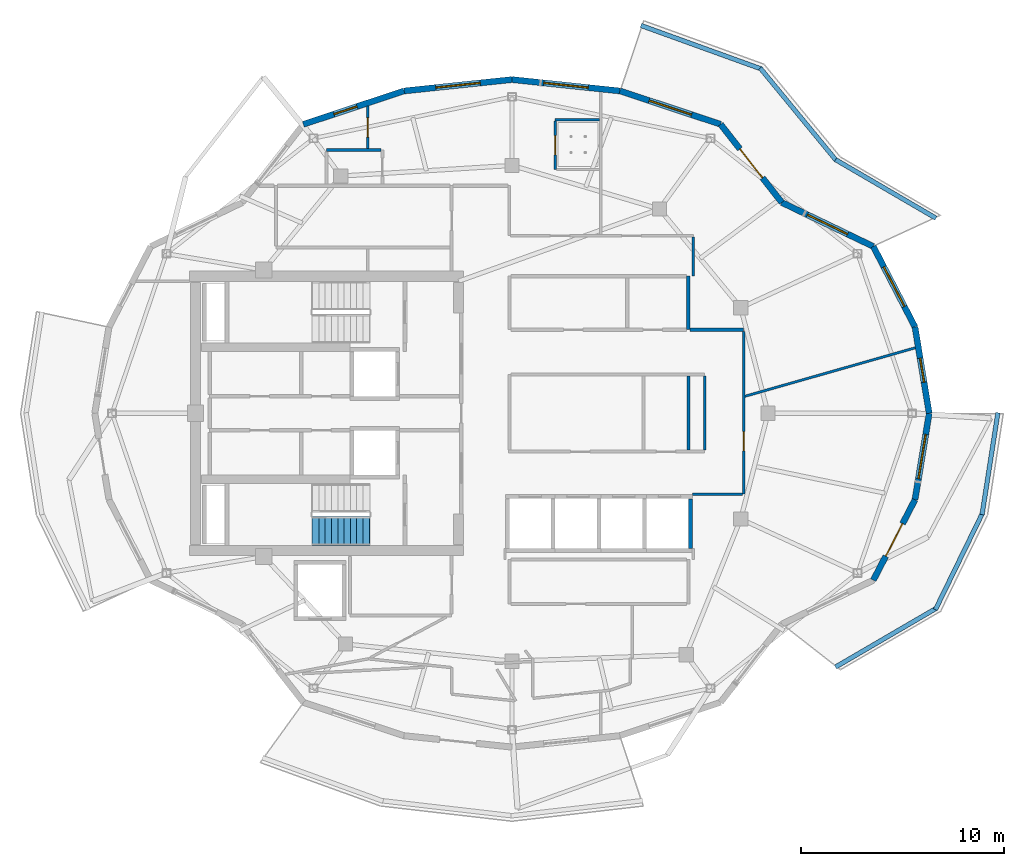
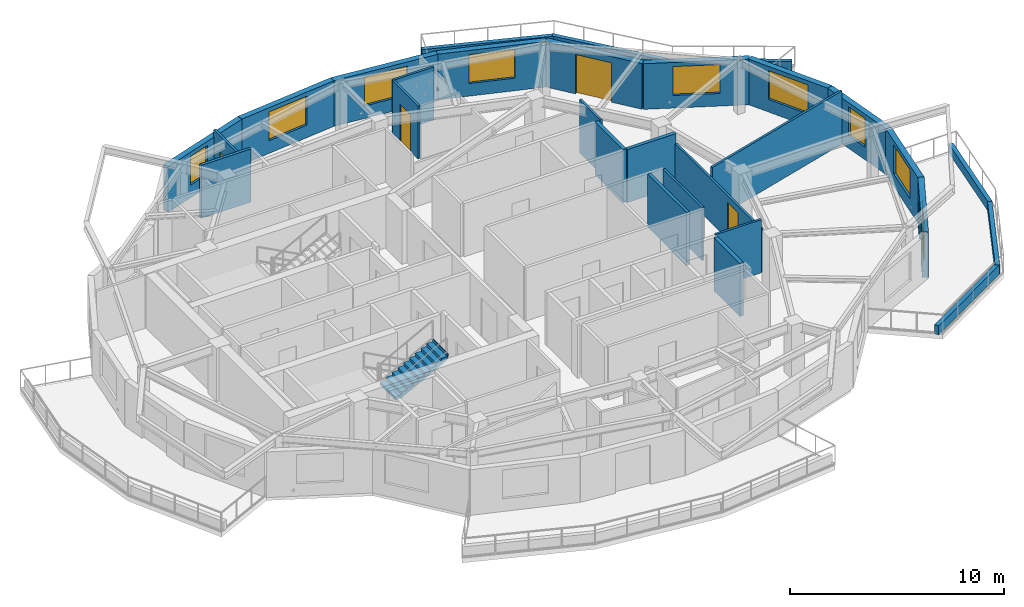
# One storey, part 6 of 11: 29 walls, 8 windows, 5 doors, 1 stair flight, 13 openings, 1 element without a shape of its own.
"""IFC4 building model written with IfcOpenShell, lengths in metres."""

from ifc_helpers import new_model, si_unit, direction, frame, frame_2d, origin, place, context, subcontext, project, spatial, polyline, rectangle, outline, extrude, material, layer, layer_set, type_object, element, fill, aggregate, save


model = new_model("IFC4")

# Units and contexts
model_context = context("Model", 3, precision=1e-05, world=origin(), true_north=direction((0.0, 1.0)))
body_context = subcontext(model_context, "Body", "Model", "MODEL_VIEW")
ifc_project = project(units=[si_unit("LENGTHUNIT", "METRE"), si_unit("AREAUNIT", "SQUARE_METRE"), si_unit("VOLUMEUNIT", "CUBIC_METRE"), si_unit("PLANEANGLEUNIT", "RADIAN"), si_unit("MASSUNIT", "GRAM", prefix="KILO")], contexts=[model_context])

# Site, building, storey
site_placement = place(None, origin())
site = spatial("IfcSite", under=ifc_project, at=site_placement, CompositionType="ELEMENT")
building_placement = place(site_placement, origin())
building = spatial("IfcBuilding", under=site, at=building_placement, Name="Kolvaren Gate Tower and Convention Centre", CompositionType="ELEMENT")
storey_placement = place(building_placement, frame((0.0, 0.0, 269.0)))
storey = spatial("IfcBuildingStorey", under=building, at=storey_placement, Name="L73", CompositionType="ELEMENT", Elevation=269.0)

# Walls
ifc_material_1 = material(Name="Autoclaved Aerated Masonry Blockwork Class 4 (4.0 MPa)", Category="masonry")
ifc_layer_1 = layer(ifc_material_1, 0.179931640625)
ifc_layer_set_1 = layer_set([ifc_layer_1], Name="Autoclaved Aerated Masonry Blockwork Class 4 (4.0 MPa)")
wall_type_1 = type_object("IfcWallType", Name="ARCH-WL-COMP-180", PredefinedType="SOLIDWALL", material=ifc_layer_set_1)
wall_1_placement = place(storey_placement, frame((38.800048828125, 31.1201171875, 0.0), z_axis=(0.0, 0.0, 1.0), x_axis=(0.0, 1.0, 0.0)))
element("IfcWall", 1, at=wall_1_placement, inside=storey, type_object=wall_type_1, Name="Interior Partition WL-L73-INT-023", PredefinedType="SOLIDWALL", context=body_context, shape_type="SweptSolid", body=[
    extrude(rectangle(XDim=2.6298828125, YDim=0.179931640625, at=frame_2d((1.31494140625, 0.0))), origin(), (0.0, 0.0, 1.0), 3.030029296875),
])
wall_2_placement = place(storey_placement, frame((38.89208984375, 31.1201171875, 0.0), z_axis=(0.0, 0.0, 1.0), x_axis=(1.0, 0.0, 0.0)))
element("IfcWall", 2, at=wall_2_placement, inside=storey, type_object=wall_type_1, Name="Interior Partition WL-L73-INT-024 (2)", PredefinedType="SOLIDWALL", context=body_context, shape_type="SweptSolid", body=[
    extrude(rectangle(XDim=2.6279296875, YDim=0.179931640625, at=frame_2d((1.31396484375, 0.0))), origin(), (0.0, 0.0, 1.0), 3.030029296875),
])
ifc_material_2 = material(Name="Fire-Rated Acoustic Gypsum Stud Partition", Category="gypsum")
ifc_layer_2 = layer(ifc_material_2, 0.1201171875)
ifc_layer_set_2 = layer_set([ifc_layer_2], Name="Fire-Rated Acoustic Gypsum Stud Partition")
wall_type_2 = type_object("IfcWallType", Name="ARCH-WL-PART-120", PredefinedType="PARTITIONING", material=ifc_layer_set_2)
wall_3_placement = place(storey_placement, frame((39.050048828125, 33.75, 0.0), z_axis=(0.0, 0.0, 1.0), x_axis=(0.0, 1.0, 0.0)))
element("IfcWall", 3, at=wall_3_placement, inside=storey, type_object=wall_type_2, Name="Interior Partition WL-L73-INT-034", PredefinedType="PARTITIONING", context=body_context, shape_type="SweptSolid", body=[
    extrude(rectangle(XDim=1.93798828125, YDim=0.1201171875, at=frame_2d((0.968994140625, 0.0))), origin(), (0.0, 0.0, 1.0), 3.030029296875),
])

# Wall, opening, door
wall_4_placement = place(storey_placement, frame((41.52001953125, 23.02001953125, 0.0), z_axis=(0.0, 0.0, 1.0), x_axis=(0.0, 1.0, 0.0)))
wall_4 = element("IfcWall", 4, at=wall_4_placement, inside=storey, type_object=wall_type_2, Name="Interior Partition WL-L73-INT-035", PredefinedType="PARTITIONING", context=body_context, shape_type="SweptSolid", body=[
    extrude(rectangle(XDim=8.008056640625, YDim=0.1201171875, at=frame_2d((4.00390625, 0.0))), origin(), (0.0, 0.0, 1.0), 2.47802734375),
])
opening_1_placement = place(wall_4_placement, frame((2.134765625, 0.0, 0.0)))
opening_1 = element("IfcOpeningElement", 5, at=opening_1_placement, cuts=wall_4, Name="Opening DR-01", PredefinedType="OPENING", context=body_context, shape_type="SweptSolid", body=[
    extrude(rectangle(XDim=0.949951171875, YDim=2.10009765625, at=frame_2d((0.47509765625, 1.050048828125))), frame((0.0, 0.070068359375, 0.0), z_axis=(0.0, -1.0, 0.0), x_axis=(1.0, 0.0, 0.0)), (0.0, 0.0, 1.0), 0.14013671875),
])
ifc_material_3 = material(Name="Painted Architectural Steelwork ASTM A500 Grade C 345 MPa", Category="steel")
door_type_1 = type_object("IfcDoorType", Name="ARCH-DR-RISER-950", OperationType="SINGLE_SWING_RIGHT", PredefinedType="DOOR", material=ifc_material_3)
door_1_placement = place(opening_1_placement, origin())
door_1 = element("IfcDoor", 6, at=door_1_placement, inside=storey, type_object=door_type_1, Name="Resident Private Study and Home Office Door", OperationType="SINGLE_SWING_LEFT", OverallHeight=2.10009765625, OverallWidth=0.949951171875, PredefinedType="DOOR", context=body_context, shape_type="SweptSolid", body=[
    extrude(rectangle(XDim=0.949951171875, YDim=2.10009765625, at=frame_2d((0.47509765625, 1.050048828125))), frame((0.0, 0.02490234375, 0.0), z_axis=(0.0, -1.0, 0.0), x_axis=(1.0, 0.0, 0.0)), (0.0, 0.0, 1.0), 0.050048828125),
])
fill(opening_1, door_1)

# Walls
wall_5_placement = place(storey_placement, frame((39.0, 23.02001953125, 0.0), z_axis=(0.0, 0.0, 1.0), x_axis=(1.0, 0.0, 0.0)))
element("IfcWall", 7, at=wall_5_placement, inside=storey, type_object=wall_type_2, Name="Interior Partition WL-L73-INT-036", PredefinedType="PARTITIONING", context=body_context, shape_type="SweptSolid", body=[
    extrude(rectangle(XDim=2.4580078125, YDim=0.1201171875, at=frame_2d((1.22900390625, 0.0))), origin(), (0.0, 0.0, 1.0), 3.030029296875),
])
wall_6_placement = place(storey_placement, frame((39.60009765625, 25.197021484375, 0.0), z_axis=(0.0, 0.0, 1.0), x_axis=(0.0, 1.0, 0.0)))
element("IfcWall", 8, at=wall_6_placement, inside=storey, type_object=wall_type_2, Name="Interior Partition WL-L73-INT-048", PredefinedType="PARTITIONING", context=body_context, shape_type="SweptSolid", body=[
    extrude(rectangle(XDim=3.64599609375, YDim=0.1201171875, at=frame_2d((1.822998046875, 0.0))), origin(), (0.0, 0.0, 1.0), 3.030029296875),
])
wall_7_placement = place(storey_placement, frame((41.58203125, 27.837646484375, 0.0), z_axis=(0.0, 0.0, 1.0), x_axis=(0.961811765236, 0.273711761262, 0.0)))
element("IfcWall", 9, at=wall_7_placement, inside=storey, type_object=wall_type_2, Name="Interior Partition WL-L73-INT-055", PredefinedType="PARTITIONING", context=body_context, shape_type="SweptSolid", body=[
    extrude(rectangle(XDim=8.722412109375, YDim=0.1201171875, at=frame_2d((4.361328125, 0.0))), origin(), (0.0, 0.0, 1.0), 3.030029296875),
])
wall_8_placement = place(storey_placement, frame((32.25, 41.449951171875, 0.0), z_axis=(0.0, 0.0, 1.0), x_axis=(1.0, 0.0, 0.0)))
element("IfcWall", 10, at=wall_8_placement, inside=storey, type_object=wall_type_2, Name="Interior Partition WL-L73-INT-056", PredefinedType="PARTITIONING", context=body_context, shape_type="SweptSolid", body=[
    extrude(rectangle(XDim=2.18798828125, YDim=0.1201171875, at=frame_2d((1.093994140625, 0.0))), origin(), (0.0, 0.0, 1.0), 3.030029296875),
])

# Wall, opening, door
wall_9_placement = place(storey_placement, frame((32.25, 39.0, 0.0), z_axis=(0.0, 0.0, 1.0), x_axis=(0.0, 1.0, 0.0)))
wall_9 = element("IfcWall", 11, at=wall_9_placement, inside=storey, type_object=wall_type_2, Name="Interior Partition WL-L73-INT-057", PredefinedType="PARTITIONING", context=body_context, shape_type="SweptSolid", body=[
    extrude(rectangle(XDim=2.387939453125, YDim=0.1201171875, at=frame_2d((1.19384765625, 0.0))), origin(), (0.0, 0.0, 1.0), 3.030029296875),
])
opening_2_placement = place(wall_9_placement, frame((0.718994140625, 0.0, 0.0)))
opening_2 = element("IfcOpeningElement", 12, at=opening_2_placement, cuts=wall_9, Name="Opening DI-01", PredefinedType="OPENING", context=body_context, shape_type="SweptSolid", body=[
    extrude(rectangle(XDim=0.949951171875, YDim=2.10009765625, at=frame_2d((0.47509765625, 1.050048828125))), frame((0.0, 0.070068359375, 0.0), z_axis=(0.0, -1.0, 0.0), x_axis=(1.0, 0.0, 0.0)), (0.0, 0.0, 1.0), 0.14013671875),
])
ifc_material_4 = material(Name="FSC Andean Oak Engineered Veneer Door Leaf", Category="wood")
door_type_2 = type_object("IfcDoorType", Name="ARCH-DR-INT-950", OperationType="SINGLE_SWING_LEFT", PredefinedType="DOOR", material=ifc_material_4)
door_2_placement = place(opening_2_placement, origin())
door_2 = element("IfcDoor", 13, at=door_2_placement, inside=storey, type_object=door_type_2, Name="Apartment Fitted Kitchen (APT-L73-01) Door", OperationType="SINGLE_SWING_RIGHT", OverallHeight=2.10009765625, OverallWidth=0.949951171875, PredefinedType="DOOR", context=body_context, shape_type="SweptSolid", body=[
    extrude(rectangle(XDim=0.949951171875, YDim=2.10009765625, at=frame_2d((0.47509765625, 1.050048828125))), frame((0.0, 0.02490234375, 0.0), z_axis=(0.0, -1.0, 0.0), x_axis=(1.0, 0.0, 0.0)), (0.0, 0.0, 1.0), 0.050048828125),
])
fill(opening_2, door_2)

wall_10_placement = place(storey_placement, frame((23.02392578125, 40.027099609375, 0.0), z_axis=(0.0, 0.0, 1.0), x_axis=(0.0, 1.0, 0.0)))
wall_10 = element("IfcWall", 14, at=wall_10_placement, inside=storey, type_object=wall_type_2, Name="Interior Partition WL-L73-INT-062", PredefinedType="PARTITIONING", context=body_context, shape_type="SweptSolid", body=[
    extrude(rectangle(XDim=2.0859375, YDim=0.1201171875, at=frame_2d((1.04296875, 0.0))), origin(), (0.0, 0.0, 1.0), 3.030029296875),
])
opening_3_placement = place(wall_10_placement, frame((0.568115234375, 0.0, 0.0)))
opening_3 = element("IfcOpeningElement", 15, at=opening_3_placement, cuts=wall_10, Name="Opening DI-01", PredefinedType="OPENING", context=body_context, shape_type="SweptSolid", body=[
    extrude(rectangle(XDim=0.949951171875, YDim=2.10009765625, at=frame_2d((0.47509765625, 1.050048828125))), frame((0.0, 0.070068359375, 0.0), z_axis=(0.0, -1.0, 0.0), x_axis=(1.0, 0.0, 0.0)), (0.0, 0.0, 1.0), 0.14013671875),
])
door_3_placement = place(opening_3_placement, origin())
door_3 = element("IfcDoor", 16, at=door_3_placement, inside=storey, type_object=door_type_2, Name="Apartment Bedroom (APT-L73-01) Door", OperationType="SINGLE_SWING_RIGHT", OverallHeight=2.10009765625, OverallWidth=0.949951171875, PredefinedType="DOOR", context=body_context, shape_type="SweptSolid", body=[
    extrude(rectangle(XDim=0.949951171875, YDim=2.10009765625, at=frame_2d((0.47509765625, 1.050048828125))), frame((0.0, 0.02490234375, 0.0), z_axis=(0.0, -1.0, 0.0), x_axis=(1.0, 0.0, 0.0)), (0.0, 0.0, 1.0), 0.050048828125),
])
fill(opening_3, door_3)

# Walls
ifc_material_5 = material(Name="Piedmont Cream Honed Limestone Cladding", Category="masonry")
ifc_layer_3 = layer(ifc_material_5, 0.219970703125)
ifc_layer_set_3 = layer_set([ifc_layer_3], Name="Piedmont Cream Honed Limestone Cladding")
wall_type_3 = type_object("IfcWallType", Name="ARCH-WL-PLANTER-220", PredefinedType="PARAPET", material=ifc_layer_set_3)
wall_11_placement = place(storey_placement, frame((46.0478515625, 39.484619140625, 0.0), z_axis=(0.0, 0.0, 1.0), x_axis=(0.863803671285, -0.503828559606, 0.0)))
element("IfcWall", 17, at=wall_11_placement, inside=storey, type_object=wall_type_3, Name="Vertical-Forest Balcony Stone Planter Kerb PK-L73-1.1", PredefinedType="PARAPET", context=body_context, shape_type="SweptSolid", body=[
    extrude(rectangle(XDim=5.719482421875, YDim=0.219970703125, at=frame_2d((2.85986328125, 0.0))), origin(), (0.0, 0.0, 1.0), 0.52001953125),
])
wall_12_placement = place(storey_placement, frame((42.338623046875, 43.989990234375, 0.0), z_axis=(0.0, 0.0, 1.0), x_axis=(0.635450933862, -0.772141250455, 0.0)))
element("IfcWall", 18, at=wall_12_placement, inside=storey, type_object=wall_type_3, Name="Vertical-Forest Balcony Stone Planter Kerb PK-L73-1.2", PredefinedType="PARAPET", context=body_context, shape_type="SweptSolid", body=[
    extrude(rectangle(XDim=5.91015625, YDim=0.219970703125, at=frame_2d((2.955078125, 0.0))), origin(), (0.0, 0.0, 1.0), 0.52001953125),
])
wall_13_placement = place(storey_placement, frame((36.47265625, 46.087158203125, 0.0), z_axis=(0.0, 0.0, 1.0), x_axis=(0.940465240036, -0.339889882585, 0.0)))
element("IfcWall", 19, at=wall_13_placement, inside=storey, type_object=wall_type_3, Name="Vertical-Forest Balcony Stone Planter Kerb PK-L73-1.3", PredefinedType="PARAPET", context=body_context, shape_type="SweptSolid", body=[
    extrude(rectangle(XDim=6.306640625, YDim=0.219970703125, at=frame_2d((3.1533203125, 0.0))), origin(), (0.0, 0.0, 1.0), 0.52001953125),
])
wall_14_placement = place(storey_placement, frame((46.0478515625, 14.515380859375, 0.0), z_axis=(0.0, 0.0, 1.0), x_axis=(0.863803671285, 0.503828559606, 0.0)))
element("IfcWall", 20, at=wall_14_placement, inside=storey, type_object=wall_type_3, Name="Vertical-Forest Balcony Stone Planter Kerb PK-L73-4.1", PredefinedType="PARAPET", context=body_context, shape_type="SweptSolid", body=[
    extrude(rectangle(XDim=5.719482421875, YDim=0.219970703125, at=frame_2d((2.85986328125, 0.0))), origin(), (0.0, 0.0, 1.0), 0.52001953125),
])
wall_15_placement = place(storey_placement, frame((50.96240234375, 17.341064453125, 0.0), z_axis=(0.0, 0.0, 1.0), x_axis=(0.438469339137, 0.898746148051, 0.0)))
element("IfcWall", 21, at=wall_15_placement, inside=storey, type_object=wall_type_3, Name="Vertical-Forest Balcony Stone Planter Kerb PK-L73-4.2", PredefinedType="PARAPET", context=body_context, shape_type="SweptSolid", body=[
    extrude(rectangle(XDim=5.26171875, YDim=0.219970703125, at=frame_2d((2.630859375, 0.0))), origin(), (0.0, 0.0, 1.0), 0.52001953125),
])
wall_16_placement = place(storey_placement, frame((53.2568359375, 22.01123046875, 0.0), z_axis=(0.0, 0.0, 1.0), x_axis=(0.15374038442, 0.988111276223, 0.0)))
element("IfcWall", 22, at=wall_16_placement, inside=storey, type_object=wall_type_3, Name="Vertical-Forest Balcony Stone Planter Kerb PK-L73-4.3", PredefinedType="PARAPET", context=body_context, shape_type="SweptSolid", body=[
    extrude(rectangle(XDim=5.078369140625, YDim=0.219970703125, at=frame_2d((2.5390625, 0.0))), origin(), (0.0, 0.0, 1.0), 0.52001953125),
])
ifc_layer_4 = layer(ifc_material_1, 0.199951171875)
ifc_layer_set_4 = layer_set([ifc_layer_4], Name="Autoclaved Aerated Masonry Blockwork Class 4 (4.0 MPa)")
wall_type_4 = type_object("IfcWallType", Name="ARCH-WL-SHAFT-200", PredefinedType="SOLIDWALL", material=ifc_layer_set_4)
wall_17_placement = place(storey_placement, frame((38.89990234375, 20.360107421875, 0.0), z_axis=(0.0, 0.0, 1.0), x_axis=(0.0, 1.0, 0.0)))
element("IfcWall", 23, at=wall_17_placement, inside=storey, type_object=wall_type_4, Name="Elevator PL-12 L73 Fire Shaft Wall E", PredefinedType="SOLIDWALL", context=body_context, shape_type="SweptSolid", body=[
    extrude(rectangle(XDim=2.429931640625, YDim=0.199951171875, at=frame_2d((1.21484375, 0.0))), origin(), (0.0, 0.0, 1.0), 3.030029296875),
])

# Wall, opening, window
ifc_layer_5 = layer(ifc_material_5, 0.300048828125)
ifc_layer_set_5 = layer_set([ifc_layer_5], Name="Piedmont Cream Honed Limestone Cladding")
wall_type_5 = type_object("IfcWallType", Name="ARCH-WL-STONE-300", PredefinedType="SOLIDWALL", material=ifc_layer_set_5)
wall_18_placement = place(storey_placement, frame((49.95654296875, 31.251220703125, 0.0), z_axis=(0.0, 0.0, 1.0), x_axis=(0.162404622434, -0.98672424649, 0.0)))
wall_18 = element("IfcWall", 24, at=wall_18_placement, inside=storey, type_object=wall_type_5, Name="Tower L73 Honed Stone Spandrel Wall EW-00", PredefinedType="SOLIDWALL", context=body_context, shape_type="SweptSolid", body=[
    extrude(rectangle(XDim=4.308349609375, YDim=0.300048828125, at=frame_2d((2.154296875, 0.0))), origin(), (0.0, 0.0, 1.0), 2.60498046875),
])
opening_4_placement = place(wall_18_placement, frame((1.553955078125, 0.0, 0.719970703125)))
opening_4 = element("IfcOpeningElement", 25, at=opening_4_placement, cuts=wall_18, Name="Opening W-04", PredefinedType="OPENING", context=body_context, shape_type="SweptSolid", body=[
    extrude(rectangle(XDim=1.199951171875, YDim=1.64990234375, at=frame_2d((0.60009765625, 0.824951171875))), frame((0.0, 0.159912109375, 0.0), z_axis=(0.0, -1.0, 0.0), x_axis=(1.0, 0.0, 0.0)), (0.0, 0.0, 1.0), 0.320068359375),
])
ifc_material_6 = material(Name="Low-E Triple Insulated Glazing Unit 44 mm", Category="glass")
window_type_1 = type_object("IfcWindowType", Name="ARCH-WN-NARROW-1200", PartitioningType="SINGLE_PANEL", PredefinedType="WINDOW", material=ifc_material_6)
window_1_placement = place(opening_4_placement, origin())
window_1 = element("IfcWindow", 26, at=window_1_placement, inside=storey, type_object=window_type_1, Name="Tower L73 Punched Stone Facade Window W-00", OverallHeight=1.64990234375, OverallWidth=1.199951171875, PartitioningType="SINGLE_PANEL", PredefinedType="WINDOW", context=body_context, shape_type="SweptSolid", body=[
    extrude(rectangle(XDim=1.199951171875, YDim=1.64990234375, at=frame_2d((0.60009765625, 0.824951171875))), frame((0.0, 0.030029296875, 0.0), z_axis=(0.0, -1.0, 0.0), x_axis=(1.0, 0.0, 0.0)), (0.0, 0.0, 1.0), 0.06005859375),
])
fill(opening_4, window_1)

wall_19_placement = place(storey_placement, frame((47.905517578125, 35.21240234375, 0.0), z_axis=(0.0, 0.0, 1.0), x_axis=(0.459801070243, -0.888021945564, 0.0)))
wall_19 = element("IfcWall", 27, at=wall_19_placement, inside=storey, type_object=wall_type_5, Name="Tower L73 Honed Stone Spandrel Wall EW-01", PredefinedType="SOLIDWALL", context=body_context, shape_type="SweptSolid", body=[
    extrude(rectangle(XDim=4.460693359375, YDim=0.300048828125, at=frame_2d((2.23046875, 0.0))), origin(), (0.0, 0.0, 1.0), 2.60498046875),
])
opening_5_placement = place(wall_19_placement, frame((1.1298828125, 0.0, 0.719970703125)))
opening_5 = element("IfcOpeningElement", 28, at=opening_5_placement, cuts=wall_19, Name="Opening W-03", PredefinedType="OPENING", context=body_context, shape_type="SweptSolid", body=[
    extrude(rectangle(XDim=2.199951171875, YDim=1.64990234375, at=frame_2d((1.10009765625, 0.824951171875))), frame((0.0, 0.159912109375, 0.0), z_axis=(0.0, -1.0, 0.0), x_axis=(1.0, 0.0, 0.0)), (0.0, 0.0, 1.0), 0.320068359375),
])
window_type_2 = type_object("IfcWindowType", Name="ARCH-WN-RES-2200", PartitioningType="SINGLE_PANEL", PredefinedType="WINDOW", material=ifc_material_6)
window_2_placement = place(opening_5_placement, origin())
window_2 = element("IfcWindow", 29, at=window_2_placement, inside=storey, type_object=window_type_2, Name="Tower L73 Punched Stone Facade Window W-01", OverallHeight=1.64990234375, OverallWidth=2.199951171875, PartitioningType="SINGLE_PANEL", PredefinedType="WINDOW", context=body_context, shape_type="SweptSolid", body=[
    extrude(rectangle(XDim=2.199951171875, YDim=1.64990234375, at=frame_2d((1.10009765625, 0.824951171875))), frame((0.0, 0.030029296875, 0.0), z_axis=(0.0, -1.0, 0.0), x_axis=(1.0, 0.0, 0.0)), (0.0, 0.0, 1.0), 0.06005859375),
])
fill(opening_5, window_2)

wall_20_placement = place(storey_placement, frame((43.40380859375, 37.37548828125, 0.0), z_axis=(0.0, 0.0, 1.0), x_axis=(0.901346013132, -0.433099716706, 0.0)))
wall_20 = element("IfcWall", 30, at=wall_20_placement, inside=storey, type_object=wall_type_5, Name="Tower L73 Honed Stone Spandrel Wall EW-02", PredefinedType="SOLIDWALL", context=body_context, shape_type="SweptSolid", body=[
    extrude(rectangle(XDim=4.994384765625, YDim=0.300048828125, at=frame_2d((2.4970703125, 0.0))), origin(), (0.0, 0.0, 1.0), 2.60498046875),
])
opening_6_placement = place(wall_20_placement, frame((1.39697265625, 0.0, 0.719970703125)))
opening_6 = element("IfcOpeningElement", 31, at=opening_6_placement, cuts=wall_20, Name="Opening W-03", PredefinedType="OPENING", context=body_context, shape_type="SweptSolid", body=[
    extrude(rectangle(XDim=2.199951171875, YDim=1.64990234375, at=frame_2d((1.10009765625, 0.824951171875))), frame((0.0, 0.159912109375, 0.0), z_axis=(0.0, -1.0, 0.0), x_axis=(1.0, 0.0, 0.0)), (0.0, 0.0, 1.0), 0.320068359375),
])
window_3_placement = place(opening_6_placement, origin())
window_3 = element("IfcWindow", 32, at=window_3_placement, inside=storey, type_object=window_type_2, Name="Tower L73 Punched Stone Facade Window W-02", OverallHeight=1.64990234375, OverallWidth=2.199951171875, PartitioningType="SINGLE_PANEL", PredefinedType="WINDOW", context=body_context, shape_type="SweptSolid", body=[
    extrude(rectangle(XDim=2.199951171875, YDim=1.64990234375, at=frame_2d((1.10009765625, 0.824951171875))), frame((0.0, 0.030029296875, 0.0), z_axis=(0.0, -1.0, 0.0), x_axis=(1.0, 0.0, 0.0)), (0.0, 0.0, 1.0), 0.06005859375),
])
fill(opening_6, window_3)

# Wall, opening, door
wall_21_placement = place(storey_placement, frame((40.390625, 41.224609375, 0.0), z_axis=(0.0, 0.0, 1.0), x_axis=(0.616413297421, -0.78742278781, 0.0)))
wall_21 = element("IfcWall", 33, at=wall_21_placement, inside=storey, type_object=wall_type_5, Name="Tower L73 Honed Stone Spandrel Wall EW-03", PredefinedType="SOLIDWALL", context=body_context, shape_type="SweptSolid", body=[
    extrude(rectangle(XDim=4.88818359375, YDim=0.300048828125, at=frame_2d((2.444091796875, 0.0))), origin(), (0.0, 0.0, 1.0), 2.60498046875),
])
opening_7_placement = place(wall_21_placement, frame((1.5439453125, 0.0, 0.0)))
opening_7 = element("IfcOpeningElement", 34, at=opening_7_placement, cuts=wall_21, Name="Opening DB-01", PredefinedType="OPENING", context=body_context, shape_type="SweptSolid", body=[
    extrude(rectangle(XDim=1.800048828125, YDim=2.25, at=frame_2d((0.89990234375, 1.125))), frame((0.0, 0.159912109375, 0.0), z_axis=(0.0, -1.0, 0.0), x_axis=(1.0, 0.0, 0.0)), (0.0, 0.0, 1.0), 0.320068359375),
])
ifc_material_7 = material(Name="Anodized Architectural Aluminium Alloy 6063-T6", Category="aluminium")
door_type_3 = type_object("IfcDoorType", Name="ARCH-DR-BALC-1800", OperationType="SLIDING_TO_LEFT", PredefinedType="DOOR", material=ifc_material_7)
door_4_placement = place(opening_7_placement, origin())
door_4 = element("IfcDoor", 35, at=door_4_placement, inside=storey, type_object=door_type_3, Name="Planted Sky Terrace Access Door DB-L73-03", OperationType="SLIDING_TO_LEFT", OverallHeight=2.25, OverallWidth=1.800048828125, PredefinedType="DOOR", context=body_context, shape_type="SweptSolid", body=[
    extrude(rectangle(XDim=1.800048828125, YDim=2.25, at=frame_2d((0.89990234375, 1.125))), frame((0.0, 0.02490234375, 0.0), z_axis=(0.0, -1.0, 0.0), x_axis=(1.0, 0.0, 0.0)), (0.0, 0.0, 1.0), 0.050048828125),
])
fill(opening_7, door_4)

# Wall, opening, window
wall_22_placement = place(storey_placement, frame((35.43896484375, 42.865234375, 0.0), z_axis=(0.0, 0.0, 1.0), x_axis=(0.949252744709, -0.314514271001, 0.0)))
wall_22 = element("IfcWall", 36, at=wall_22_placement, inside=storey, type_object=wall_type_5, Name="Tower L73 Honed Stone Spandrel Wall EW-04", PredefinedType="SOLIDWALL", context=body_context, shape_type="SweptSolid", body=[
    extrude(rectangle(XDim=5.21630859375, YDim=0.300048828125, at=frame_2d((2.608154296875, 0.0))), origin(), (0.0, 0.0, 1.0), 2.60498046875),
])
opening_8_placement = place(wall_22_placement, frame((1.508056640625, 0.0, 0.719970703125)))
opening_8 = element("IfcOpeningElement", 37, at=opening_8_placement, cuts=wall_22, Name="Opening W-03", PredefinedType="OPENING", context=body_context, shape_type="SweptSolid", body=[
    extrude(rectangle(XDim=2.199951171875, YDim=1.64990234375, at=frame_2d((1.10009765625, 0.824951171875))), frame((0.0, 0.159912109375, 0.0), z_axis=(0.0, -1.0, 0.0), x_axis=(1.0, 0.0, 0.0)), (0.0, 0.0, 1.0), 0.320068359375),
])
window_4_placement = place(opening_8_placement, origin())
window_4 = element("IfcWindow", 38, at=window_4_placement, inside=storey, type_object=window_type_2, Name="Tower L73 Punched Stone Facade Window W-04", OverallHeight=1.64990234375, OverallWidth=2.199951171875, PartitioningType="SINGLE_PANEL", PredefinedType="WINDOW", context=body_context, shape_type="SweptSolid", body=[
    extrude(rectangle(XDim=2.199951171875, YDim=1.64990234375, at=frame_2d((1.10009765625, 0.824951171875))), frame((0.0, 0.030029296875, 0.0), z_axis=(0.0, -1.0, 0.0), x_axis=(1.0, 0.0, 0.0)), (0.0, 0.0, 1.0), 0.06005859375),
])
fill(opening_8, window_4)

wall_23_placement = place(storey_placement, frame((30.125, 43.425048828125, 0.0), z_axis=(0.0, 0.0, 1.0), x_axis=(0.9944966869, -0.104768028258, 0.0)))
wall_23 = element("IfcWall", 39, at=wall_23_placement, inside=storey, type_object=wall_type_5, Name="Tower L73 Honed Stone Spandrel Wall EW-05", PredefinedType="SOLIDWALL", context=body_context, shape_type="SweptSolid", body=[
    extrude(rectangle(XDim=5.34326171875, YDim=0.300048828125, at=frame_2d((2.671630859375, 0.0))), origin(), (0.0, 0.0, 1.0), 2.60498046875),
])
opening_9_placement = place(wall_23_placement, frame((1.572021484375, 0.0, 0.719970703125)))
opening_9 = element("IfcOpeningElement", 40, at=opening_9_placement, cuts=wall_23, Name="Opening W-03", PredefinedType="OPENING", context=body_context, shape_type="SweptSolid", body=[
    extrude(rectangle(XDim=2.199951171875, YDim=1.64990234375, at=frame_2d((1.10009765625, 0.824951171875))), frame((0.0, 0.159912109375, 0.0), z_axis=(0.0, -1.0, 0.0), x_axis=(1.0, 0.0, 0.0)), (0.0, 0.0, 1.0), 0.320068359375),
])
window_5_placement = place(opening_9_placement, origin())
window_5 = element("IfcWindow", 41, at=window_5_placement, inside=storey, type_object=window_type_2, Name="Tower L73 Punched Stone Facade Window W-05", OverallHeight=1.64990234375, OverallWidth=2.199951171875, PartitioningType="SINGLE_PANEL", PredefinedType="WINDOW", context=body_context, shape_type="SweptSolid", body=[
    extrude(rectangle(XDim=2.199951171875, YDim=1.64990234375, at=frame_2d((1.10009765625, 0.824951171875))), frame((0.0, 0.030029296875, 0.0), z_axis=(0.0, -1.0, 0.0), x_axis=(1.0, 0.0, 0.0)), (0.0, 0.0, 1.0), 0.06005859375),
])
fill(opening_9, window_5)

wall_24_placement = place(storey_placement, frame((24.81103515625, 42.865234375, 0.0), z_axis=(0.0, 0.0, 1.0), x_axis=(0.9944966869, 0.104768028258, 0.0)))
wall_24 = element("IfcWall", 42, at=wall_24_placement, inside=storey, type_object=wall_type_5, Name="Tower L73 Honed Stone Spandrel Wall EW-06", PredefinedType="SOLIDWALL", context=body_context, shape_type="SweptSolid", body=[
    extrude(rectangle(XDim=5.34326171875, YDim=0.300048828125, at=frame_2d((2.671630859375, 0.0))), origin(), (0.0, 0.0, 1.0), 2.60498046875),
])
opening_10_placement = place(wall_24_placement, frame((1.572021484375, 0.0, 0.719970703125)))
opening_10 = element("IfcOpeningElement", 43, at=opening_10_placement, cuts=wall_24, Name="Opening W-03", PredefinedType="OPENING", context=body_context, shape_type="SweptSolid", body=[
    extrude(rectangle(XDim=2.199951171875, YDim=1.64990234375, at=frame_2d((1.10009765625, 0.824951171875))), frame((0.0, 0.159912109375, 0.0), z_axis=(0.0, -1.0, 0.0), x_axis=(1.0, 0.0, 0.0)), (0.0, 0.0, 1.0), 0.320068359375),
])
window_6_placement = place(opening_10_placement, origin())
window_6 = element("IfcWindow", 44, at=window_6_placement, inside=storey, type_object=window_type_2, Name="Tower L73 Punched Stone Facade Window W-06", OverallHeight=1.64990234375, OverallWidth=2.199951171875, PartitioningType="SINGLE_PANEL", PredefinedType="WINDOW", context=body_context, shape_type="SweptSolid", body=[
    extrude(rectangle(XDim=2.199951171875, YDim=1.64990234375, at=frame_2d((1.10009765625, 0.824951171875))), frame((0.0, 0.030029296875, 0.0), z_axis=(0.0, -1.0, 0.0), x_axis=(1.0, 0.0, 0.0)), (0.0, 0.0, 1.0), 0.06005859375),
])
fill(opening_10, window_6)

wall_25_placement = place(storey_placement, frame((19.859375, 41.224609375, 0.0), z_axis=(0.0, 0.0, 1.0), x_axis=(0.949252744709, 0.314514271001, 0.0)))
wall_25 = element("IfcWall", 45, at=wall_25_placement, inside=storey, type_object=wall_type_5, Name="Tower L73 Honed Stone Spandrel Wall EW-07", PredefinedType="SOLIDWALL", context=body_context, shape_type="SweptSolid", body=[
    extrude(rectangle(XDim=5.21630859375, YDim=0.300048828125, at=frame_2d((2.608154296875, 0.0))), origin(), (0.0, 0.0, 1.0), 2.60498046875),
])
opening_11_placement = place(wall_25_placement, frame((1.580078125, 0.0, 0.719970703125)))
opening_11 = element("IfcOpeningElement", 46, at=opening_11_placement, cuts=wall_25, Name="Opening W-04", PredefinedType="OPENING", context=body_context, shape_type="SweptSolid", body=[
    extrude(rectangle(XDim=1.199951171875, YDim=1.64990234375, at=frame_2d((0.60009765625, 0.824951171875))), frame((0.0, 0.159912109375, 0.0), z_axis=(0.0, -1.0, 0.0), x_axis=(1.0, 0.0, 0.0)), (0.0, 0.0, 1.0), 0.320068359375),
])
window_7_placement = place(opening_11_placement, origin())
window_7 = element("IfcWindow", 47, at=window_7_placement, inside=storey, type_object=window_type_1, Name="Tower L73 Punched Stone Facade Window W-07", OverallHeight=1.64990234375, OverallWidth=1.199951171875, PartitioningType="SINGLE_PANEL", PredefinedType="WINDOW", context=body_context, shape_type="SweptSolid", body=[
    extrude(rectangle(XDim=1.199951171875, YDim=1.64990234375, at=frame_2d((0.60009765625, 0.824951171875))), frame((0.0, 0.030029296875, 0.0), z_axis=(0.0, -1.0, 0.0), x_axis=(1.0, 0.0, 0.0)), (0.0, 0.0, 1.0), 0.06005859375),
])
fill(opening_11, window_7)

# Wall, opening, door
wall_26_placement = place(storey_placement, frame((47.905517578125, 18.78759765625, 0.0), z_axis=(0.0, 0.0, 1.0), x_axis=(0.459801070243, 0.888021945564, 0.0)))
wall_26 = element("IfcWall", 48, at=wall_26_placement, inside=storey, type_object=wall_type_5, Name="Tower L73 Honed Stone Spandrel Wall EW-22", PredefinedType="SOLIDWALL", context=body_context, shape_type="SweptSolid", body=[
    extrude(rectangle(XDim=4.460693359375, YDim=0.300048828125, at=frame_2d((2.23046875, 0.0))), origin(), (0.0, 0.0, 1.0), 2.60498046875),
])
opening_12_placement = place(wall_26_placement, frame((1.330078125, 0.0, 0.0)))
opening_12 = element("IfcOpeningElement", 49, at=opening_12_placement, cuts=wall_26, Name="Opening DB-01", PredefinedType="OPENING", context=body_context, shape_type="SweptSolid", body=[
    extrude(rectangle(XDim=1.800048828125, YDim=2.25, at=frame_2d((0.89990234375, 1.125))), frame((0.0, 0.159912109375, 0.0), z_axis=(0.0, -1.0, 0.0), x_axis=(1.0, 0.0, 0.0)), (0.0, 0.0, 1.0), 0.320068359375),
])
door_5_placement = place(opening_12_placement, frame((1.800048828125, 0.0, 0.0), z_axis=(0.0, 0.0, 1.0), x_axis=(-1.0, 0.0, 0.0)))
door_5 = element("IfcDoor", 50, at=door_5_placement, inside=storey, type_object=door_type_3, Name="Planted Sky Terrace Access Door DB-L73-22", OperationType="SLIDING_TO_LEFT", OverallHeight=2.25, OverallWidth=1.800048828125, PredefinedType="DOOR", context=body_context, shape_type="SweptSolid", body=[
    extrude(rectangle(XDim=1.800048828125, YDim=2.25, at=frame_2d((0.89990234375, 1.125))), frame((0.0, 0.02490234375, 0.0), z_axis=(0.0, -1.0, 0.0), x_axis=(1.0, 0.0, 0.0)), (0.0, 0.0, 1.0), 0.050048828125),
])
fill(opening_12, door_5)

# Wall, opening, window
wall_27_placement = place(storey_placement, frame((49.95654296875, 22.748779296875, 0.0), z_axis=(0.0, 0.0, 1.0), x_axis=(0.162404622434, 0.98672424649, 0.0)))
wall_27 = element("IfcWall", 51, at=wall_27_placement, inside=storey, type_object=wall_type_5, Name="Tower L73 Honed Stone Spandrel Wall EW-23", PredefinedType="SOLIDWALL", context=body_context, shape_type="SweptSolid", body=[
    extrude(rectangle(XDim=4.308349609375, YDim=0.300048828125, at=frame_2d((2.154296875, 0.0))), origin(), (0.0, 0.0, 1.0), 2.60498046875),
])
opening_13_placement = place(wall_27_placement, frame((1.053955078125, 0.0, 0.719970703125)))
opening_13 = element("IfcOpeningElement", 52, at=opening_13_placement, cuts=wall_27, Name="Opening W-03", PredefinedType="OPENING", context=body_context, shape_type="SweptSolid", body=[
    extrude(rectangle(XDim=2.199951171875, YDim=1.64990234375, at=frame_2d((1.10009765625, 0.824951171875))), frame((0.0, 0.159912109375, 0.0), z_axis=(0.0, -1.0, 0.0), x_axis=(1.0, 0.0, 0.0)), (0.0, 0.0, 1.0), 0.320068359375),
])
window_8_placement = place(opening_13_placement, origin())
window_8 = element("IfcWindow", 53, at=window_8_placement, inside=storey, type_object=window_type_2, Name="Tower L73 Punched Stone Facade Window W-23", OverallHeight=1.64990234375, OverallWidth=2.199951171875, PartitioningType="SINGLE_PANEL", PredefinedType="WINDOW", context=body_context, shape_type="SweptSolid", body=[
    extrude(rectangle(XDim=2.199951171875, YDim=1.64990234375, at=frame_2d((1.10009765625, 0.824951171875))), frame((0.0, 0.030029296875, 0.0), z_axis=(0.0, -1.0, 0.0), x_axis=(1.0, 0.0, 0.0)), (0.0, 0.0, 1.0), 0.06005859375),
])
fill(opening_13, window_8)

# Walls
ifc_material_8 = material(Name="Moisture-Resistant Cement-Board Acoustic Partition", Category="gypsum")
ifc_layer_6 = layer(ifc_material_8, 0.14990234375)
ifc_layer_set_6 = layer_set([ifc_layer_6], Name="Moisture-Resistant Cement-Board Acoustic Partition")
wall_type_6 = type_object("IfcWallType", Name="ARCH-WL-WET-150", PredefinedType="PARTITIONING", material=ifc_layer_set_6)
wall_28_placement = place(storey_placement, frame((38.800048828125, 25.197021484375, 0.0), z_axis=(0.0, 0.0, 1.0), x_axis=(0.0, 1.0, 0.0)))
element("IfcWall", 54, at=wall_28_placement, inside=storey, type_object=wall_type_6, Name="Interior Partition WL-L73-INT-022", PredefinedType="PARTITIONING", context=body_context, shape_type="SweptSolid", body=[
    extrude(rectangle(XDim=3.64599609375, YDim=0.14990234375, at=frame_2d((1.822998046875, 0.0))), origin(), (0.0, 0.0, 1.0), 3.030029296875),
])
wall_29_placement = place(storey_placement, frame((21.0, 39.949951171875, 0.0), z_axis=(0.0, 0.0, 1.0), x_axis=(1.0, 0.0, 0.0)))
element("IfcWall", 55, at=wall_29_placement, inside=storey, type_object=wall_type_6, Name="Interior Partition WL-L73-INT-060", PredefinedType="PARTITIONING", context=body_context, shape_type="SweptSolid", body=[
    extrude(rectangle(XDim=2.673095703125, YDim=0.14990234375, at=frame_2d((1.33642578125, 0.0))), origin(), (0.0, 0.0, 1.0), 3.030029296875),
])

# Stair, stair flight
ifc_material_9 = material(Name="Concrete C50/60", Category="concrete")
stair_type = type_object("IfcStairType", Name="STR-STAIR-CORE", PredefinedType="HALF_TURN_STAIR", material=ifc_material_9)
stair_placement = place(storey_placement, origin())
stair = element("IfcStair", 56, at=stair_placement, inside=storey, type_object=stair_type, Name="L73 Tower South Exit Stair ST-T2", PredefinedType="HALF_TURN_STAIR")
stair_flight_type = type_object("IfcStairFlightType", Name="STR-SFL-1420", PredefinedType="STRAIGHT", material=ifc_material_9)
stair_flight_placement = place(storey_placement, frame((20.31005859375, 21.2099609375, 1.64990234375), z_axis=(0.0, 0.0, 1.0), x_axis=(1.0, 0.0, 0.0)))
stair_flight = element("IfcStairFlight", 57, at=stair_flight_placement, type_object=stair_flight_type, Name="ST-T2 flight 2", NumberOfRisers=10, NumberOfTreads=9, PredefinedType="STRAIGHT", RiserHeight=0.165, TreadLength=0.31, context=body_context, shape_type="SweptSolid", body=[
    extrude(outline(polyline([(-0.034912109375, 0.0), (-0.034912109375, 0.1650390625), (0.31005859375, 0.1650390625), (0.31005859375, 0.330078125), (0.6201171875, 0.330078125), (0.6201171875, 0.4951171875), (0.929931640625, 0.4951171875), (0.929931640625, 0.659912109375), (1.239990234375, 0.659912109375), (1.239990234375, 0.824951171875), (1.550048828125, 0.824951171875), (1.550048828125, 0.989990234375), (1.860107421875, 0.989990234375), (1.860107421875, 1.155029296875), (2.169921875, 1.155029296875), (2.169921875, 1.320068359375), (2.47998046875, 1.320068359375), (2.47998046875, 1.485107421875), (2.7900390625, 1.485107421875), (2.7900390625, 1.64990234375), (2.8349609375, 1.64990234375), (2.8349609375, 1.489990234375), (2.7900390625, 1.315185546875), (0.319091796875, 0.0), (-0.034912109375, 0.0)])), frame((0.0, 0.7099609375, 0.0), z_axis=(0.0, -1.0, 0.0), x_axis=(1.0, 0.0, 0.0)), (0.0, 0.0, 1.0), 1.419921875),
])
aggregate(stair, [stair_flight])

save(model, "model.ifc")
